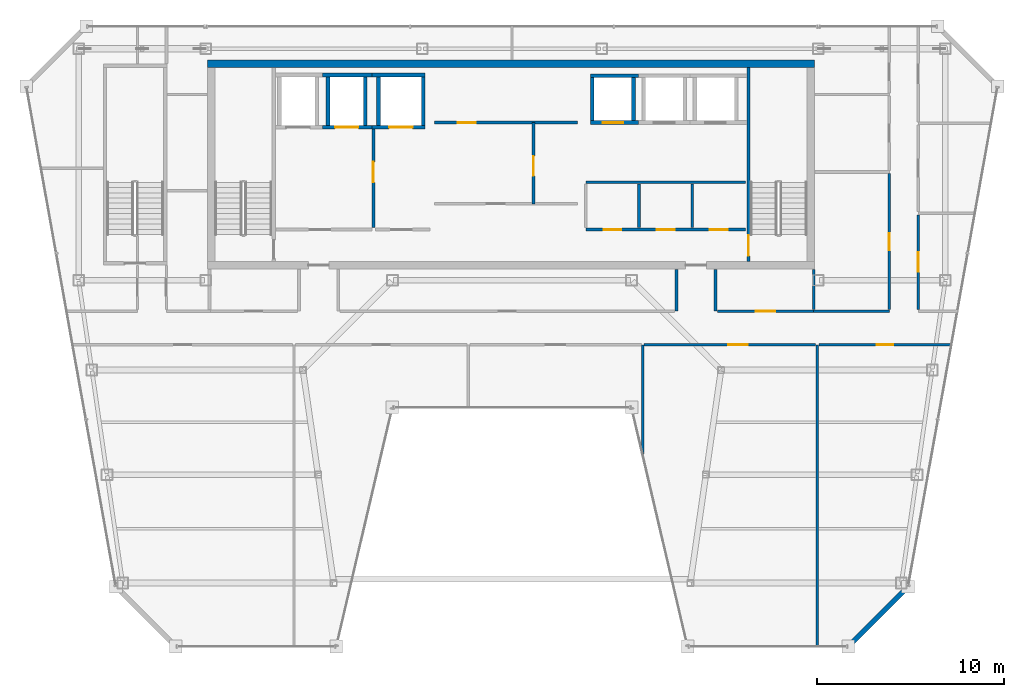
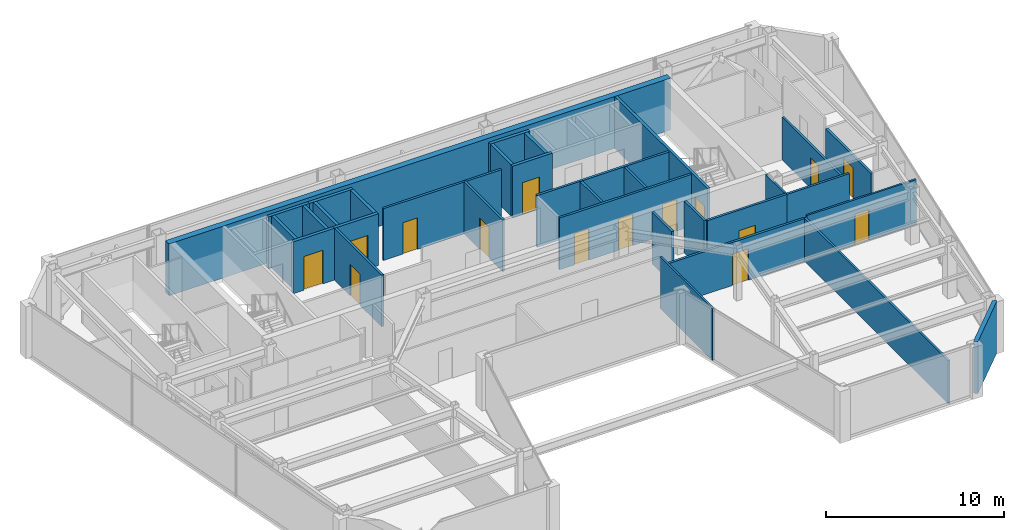
# One storey, part 28 of 32: 33 walls, 15 doors, 15 openings.
"""IFC4 building model written with IfcOpenShell, lengths in metres."""

from ifc_helpers import new_model, si_unit, direction, frame, frame_2d, origin, place, context, subcontext, project, spatial, rectangle, extrude, material, layer, layer_set, type_object, element, fill, save


model = new_model("IFC4")

# Units and contexts
model_context = context("Model", 3, precision=1e-05, world=origin(), true_north=direction((0.0, 1.0)))
body_context = subcontext(model_context, "Body", "Model", "MODEL_VIEW")
ifc_project = project(units=[si_unit("LENGTHUNIT", "METRE"), si_unit("AREAUNIT", "SQUARE_METRE"), si_unit("VOLUMEUNIT", "CUBIC_METRE"), si_unit("PLANEANGLEUNIT", "RADIAN"), si_unit("MASSUNIT", "GRAM", prefix="KILO")], contexts=[model_context])

# Site, building, storey
site_placement = place(None, origin())
site = spatial("IfcSite", under=ifc_project, at=site_placement, CompositionType="ELEMENT")
building_placement = place(site_placement, origin())
building = spatial("IfcBuilding", under=site, at=building_placement, Name="Saevonmaru Cultural Tower", CompositionType="ELEMENT")
storey_placement = place(building_placement, frame((0.0, 0.0, 268.60009765625)))
storey = spatial("IfcBuildingStorey", under=building, at=storey_placement, Name="L63", CompositionType="ELEMENT", Elevation=268.60009765625)

# Wall
ifc_material_1 = material(Name="Concrete C50/60", Category="concrete")
ifc_layer_1 = layer(ifc_material_1, 0.39990234375, Name="Concrete C50/60")
ifc_layer_set_1 = layer_set([ifc_layer_1], Name="Concrete C50/60")
wall_type_1 = type_object("IfcWallType", Name="WL-CORE-400", PredefinedType="SHEAR", material=ifc_layer_set_1)
wall_1_placement = place(storey_placement, frame((13.699951171875, 54.0, 0.0), z_axis=(0.0, 0.0, 1.0), x_axis=(1.0, 0.0, 0.0)))
element("IfcWall", 1, at=wall_1_placement, inside=storey, type_object=wall_type_1, Name="L63 Tower RC core shear wall N", PredefinedType="SHEAR", context=body_context, shape_type="SweptSolid", body=[
    extrude(rectangle(XDim=32.5, YDim=0.39990234375, at=frame_2d((16.25, 0.0))), origin(), (0.0, 0.0, 1.0), 3.5498046875),
])

# Wall, opening, door
ifc_material_2 = material(Name="Gypsum Fireboard Partition", Category="gypsum")
ifc_layer_2 = layer(ifc_material_2, 0.14990234375, Name="Gypsum Fireboard Partition")
ifc_layer_set_2 = layer_set([ifc_layer_2], Name="Gypsum Fireboard Partition")
wall_type_2 = type_object("IfcWallType", Name="WL-CORE-PART-150", PredefinedType="PARTITIONING", material=ifc_layer_set_2)
wall_2_placement = place(storey_placement, frame((22.580078125, 50.550048828125, 0.0), z_axis=(0.0, 0.0, 1.0), x_axis=(0.0, -1.0, 0.0)))
wall_2 = element("IfcWall", 2, at=wall_2_placement, inside=storey, type_object=wall_type_2, Name="L63 Firefighting Lift Lobby East Wall", PredefinedType="PARTITIONING", context=body_context, shape_type="SweptSolid", body=[
    extrude(rectangle(XDim=5.330078125, YDim=0.14990234375, at=frame_2d((2.6650390625, 0.0))), origin(), (0.0, 0.0, 1.0), 3.5498046875),
])
opening_1_placement = place(wall_2_placement, frame((1.800048828125, 0.0, 0.0)))
opening_1 = element("IfcOpeningElement", 3, at=opening_1_placement, cuts=wall_2, Name="Opening FD-2", PredefinedType="OPENING", context=body_context, shape_type="SweptSolid", body=[
    extrude(rectangle(XDim=1.10009765625, YDim=2.14990234375, at=frame_2d((0.550048828125, 1.074951171875))), frame((0.0, 0.0849609375, 0.0), z_axis=(0.0, -1.0, 0.0), x_axis=(1.0, 0.0, 0.0)), (0.0, 0.0, 1.0), 0.169921875),
])
ifc_material_3 = material(Name="Satin Bronze Anodised Aluminium", Category="aluminium")
door_type_1 = type_object("IfcDoorType", Name="DR-FD60-1100", OperationType="SINGLE_SWING_LEFT", PredefinedType="DOOR", material=ifc_material_3)
door_1_placement = place(opening_1_placement, origin())
door_1 = element("IfcDoor", 4, at=door_1_placement, inside=storey, type_object=door_type_1, Name="L63 Firefighting Lift Lobby East Door", OperationType="SINGLE_SWING_LEFT", OverallHeight=2.14990234375, OverallWidth=1.10009765625, PredefinedType="DOOR", context=body_context, shape_type="SweptSolid", body=[
    extrude(rectangle(XDim=1.10009765625, YDim=2.14990234375, at=frame_2d((0.550048828125, 1.074951171875))), frame((0.0, 0.02490234375, 0.0), z_axis=(0.0, -1.0, 0.0), x_axis=(1.0, 0.0, 0.0)), (0.0, 0.0, 1.0), 0.050048828125),
])
fill(opening_1, door_1)

wall_3_placement = place(storey_placement, frame((31.14990234375, 46.5, 0.0), z_axis=(0.0, 0.0, 1.0), x_axis=(0.0, 1.0, 0.0)))
wall_3 = element("IfcWall", 5, at=wall_3_placement, inside=storey, type_object=wall_type_2, Name="L63 Lift Zone Baffle 1", PredefinedType="PARTITIONING", context=body_context, shape_type="SweptSolid", body=[
    extrude(rectangle(XDim=4.35009765625, YDim=0.14990234375, at=frame_2d((2.175048828125, 0.0))), origin(), (0.0, 0.0, 1.0), 3.5498046875),
])
opening_2_placement = place(wall_3_placement, frame((1.5, 0.0, 0.0)))
opening_2 = element("IfcOpeningElement", 6, at=opening_2_placement, cuts=wall_3, Name="Opening ID-1", PredefinedType="OPENING", context=body_context, shape_type="SweptSolid", body=[
    extrude(rectangle(XDim=1.050048828125, YDim=2.14990234375, at=frame_2d((0.52490234375, 1.074951171875))), frame((0.0, 0.0849609375, 0.0), z_axis=(0.0, -1.0, 0.0), x_axis=(1.0, 0.0, 0.0)), (0.0, 0.0, 1.0), 0.169921875),
])
door_type_2 = type_object("IfcDoorType", Name="DR-INT-1050", OperationType="SINGLE_SWING_LEFT", PredefinedType="DOOR", material=ifc_material_3)
door_2_placement = place(opening_2_placement, origin())
door_2 = element("IfcDoor", 7, at=door_2_placement, inside=storey, type_object=door_type_2, Name="L63 West-Mid Lobby Portal", OperationType="SINGLE_SWING_LEFT", OverallHeight=2.14990234375, OverallWidth=1.050048828125, PredefinedType="DOOR", context=body_context, shape_type="SweptSolid", body=[
    extrude(rectangle(XDim=1.050048828125, YDim=2.14990234375, at=frame_2d((0.52490234375, 1.074951171875))), frame((0.0, 0.02490234375, 0.0), z_axis=(0.0, -1.0, 0.0), x_axis=(1.0, 0.0, 0.0)), (0.0, 0.0, 1.0), 0.050048828125),
])
fill(opening_2, door_2)

# Wall, openings, doors
wall_4_placement = place(storey_placement, frame((33.949951171875, 45.1201171875, 0.0), z_axis=(0.0, 0.0, 1.0), x_axis=(1.0, 0.0, 0.0)))
wall_4 = element("IfcWall", 8, at=wall_4_placement, inside=storey, type_object=wall_type_2, Name="L63 Core Utility South Wall", PredefinedType="PARTITIONING", context=body_context, shape_type="SweptSolid", body=[
    extrude(rectangle(XDim=8.550048828125, YDim=0.14990234375, at=frame_2d((4.27490234375, 0.0))), origin(), (0.0, 0.0, 1.0), 3.5498046875),
])
opening_3_placement = place(wall_4_placement, frame((0.949951171875, 0.0, 0.0)))
opening_3 = element("IfcOpeningElement", 9, at=opening_3_placement, cuts=wall_4, Name="Opening FD-4", PredefinedType="OPENING", context=body_context, shape_type="SweptSolid", body=[
    extrude(rectangle(XDim=0.949951171875, YDim=2.14990234375, at=frame_2d((0.47509765625, 1.074951171875))), frame((0.0, 0.0849609375, 0.0), z_axis=(0.0, -1.0, 0.0), x_axis=(1.0, 0.0, 0.0)), (0.0, 0.0, 1.0), 0.169921875),
])
opening_4_placement = place(wall_4_placement, frame((3.800048828125, 0.0, 0.0)))
opening_4 = element("IfcOpeningElement", 10, at=opening_4_placement, cuts=wall_4, Name="Opening FD-4", PredefinedType="OPENING", context=body_context, shape_type="SweptSolid", body=[
    extrude(rectangle(XDim=0.949951171875, YDim=2.14990234375, at=frame_2d((0.47509765625, 1.074951171875))), frame((0.0, 0.0849609375, 0.0), z_axis=(0.0, -1.0, 0.0), x_axis=(1.0, 0.0, 0.0)), (0.0, 0.0, 1.0), 0.169921875),
])
opening_5_placement = place(wall_4_placement, frame((6.64990234375, 0.0, 0.0)))
opening_5 = element("IfcOpeningElement", 11, at=opening_5_placement, cuts=wall_4, Name="Opening FD-4", PredefinedType="OPENING", context=body_context, shape_type="SweptSolid", body=[
    extrude(rectangle(XDim=0.949951171875, YDim=2.14990234375, at=frame_2d((0.47509765625, 1.074951171875))), frame((0.0, 0.0849609375, 0.0), z_axis=(0.0, -1.0, 0.0), x_axis=(1.0, 0.0, 0.0)), (0.0, 0.0, 1.0), 0.169921875),
])
door_type_3 = type_object("IfcDoorType", Name="DR-FD60-950", OperationType="SINGLE_SWING_LEFT", PredefinedType="DOOR", material=ifc_material_3)
door_3_placement = place(opening_3_placement, origin())
door_3 = element("IfcDoor", 12, at=door_3_placement, inside=storey, type_object=door_type_3, Name="L63 Meter Plant Door", OperationType="SINGLE_SWING_LEFT", OverallHeight=2.14990234375, OverallWidth=0.949951171875, PredefinedType="DOOR", context=body_context, shape_type="SweptSolid", body=[
    extrude(rectangle(XDim=0.949951171875, YDim=2.14990234375, at=frame_2d((0.47509765625, 1.074951171875))), frame((0.0, 0.02490234375, 0.0), z_axis=(0.0, -1.0, 0.0), x_axis=(1.0, 0.0, 0.0)), (0.0, 0.0, 1.0), 0.050048828125),
])
fill(opening_3, door_3)
door_4_placement = place(opening_4_placement, origin())
door_4 = element("IfcDoor", 13, at=door_4_placement, inside=storey, type_object=door_type_3, Name="L63 AV Rack Plant Door", OperationType="SINGLE_SWING_LEFT", OverallHeight=2.14990234375, OverallWidth=0.949951171875, PredefinedType="DOOR", context=body_context, shape_type="SweptSolid", body=[
    extrude(rectangle(XDim=0.949951171875, YDim=2.14990234375, at=frame_2d((0.47509765625, 1.074951171875))), frame((0.0, 0.02490234375, 0.0), z_axis=(0.0, -1.0, 0.0), x_axis=(1.0, 0.0, 0.0)), (0.0, 0.0, 1.0), 0.050048828125),
])
fill(opening_4, door_4)
door_5_placement = place(opening_5_placement, origin())
door_5 = element("IfcDoor", 14, at=door_5_placement, inside=storey, type_object=door_type_3, Name="L63 Archive Supply Storage Door", OperationType="SINGLE_SWING_LEFT", OverallHeight=2.14990234375, OverallWidth=0.949951171875, PredefinedType="DOOR", context=body_context, shape_type="SweptSolid", body=[
    extrude(rectangle(XDim=0.949951171875, YDim=2.14990234375, at=frame_2d((0.47509765625, 1.074951171875))), frame((0.0, 0.02490234375, 0.0), z_axis=(0.0, -1.0, 0.0), x_axis=(1.0, 0.0, 0.0)), (0.0, 0.0, 1.0), 0.050048828125),
])
fill(opening_5, door_5)

# Walls
wall_5_placement = place(storey_placement, frame((33.949951171875, 47.64990234375, 0.0), z_axis=(0.0, 0.0, 1.0), x_axis=(1.0, 0.0, 0.0)))
element("IfcWall", 15, at=wall_5_placement, inside=storey, type_object=wall_type_2, Name="L63 Core Utility North Wall", PredefinedType="PARTITIONING", context=body_context, shape_type="SweptSolid", body=[
    extrude(rectangle(XDim=8.550048828125, YDim=0.14990234375, at=frame_2d((4.27490234375, 0.0))), origin(), (0.0, 0.0, 1.0), 3.5498046875),
])
for number, where, z_axis, x_axis, name in (
    (16, (36.800048828125, 45.219970703125, 0.0), (0.0, 0.0, 1.0), (0.0, 1.0, 0.0), "L63 Utility Divider 1"),
    (17, (39.64990234375, 45.219970703125, 0.0), (0.0, 0.0, 1.0), (0.0, 1.0, 0.0), "L63 Utility Divider 2"),
):
    element("IfcWall", number, at=place(storey_placement, frame(where, z_axis=z_axis, x_axis=x_axis)), inside=storey, type_object=wall_type_2, Name=name, PredefinedType="PARTITIONING", context=body_context, shape_type="SweptSolid", body=[
        extrude(rectangle(XDim=2.330078125, YDim=0.14990234375, at=frame_2d((1.1650390625, 0.0))), origin(), (0.0, 0.0, 1.0), 3.5498046875),
    ])

# Wall, opening, door
wall_6_placement = place(storey_placement, frame((25.85009765625, 50.85009765625, 0.0), z_axis=(0.0, 0.0, 1.0), x_axis=(1.0, 0.0, 0.0)))
wall_6 = element("IfcWall", 18, at=wall_6_placement, inside=storey, type_object=wall_type_2, Name="L63 Reclaimed Core Room South Wall", PredefinedType="PARTITIONING", context=body_context, shape_type="SweptSolid", body=[
    extrude(rectangle(XDim=7.64990234375, YDim=0.14990234375, at=frame_2d((3.824951171875, 0.0))), origin(), (0.0, 0.0, 1.0), 3.5498046875),
])
opening_6_placement = place(wall_6_placement, frame((1.25, 0.0, 0.0)))
opening_6 = element("IfcOpeningElement", 19, at=opening_6_placement, cuts=wall_6, Name="Opening FD-4", PredefinedType="OPENING", context=body_context, shape_type="SweptSolid", body=[
    extrude(rectangle(XDim=0.949951171875, YDim=2.14990234375, at=frame_2d((0.47509765625, 1.074951171875))), frame((0.0, 0.0849609375, 0.0), z_axis=(0.0, -1.0, 0.0), x_axis=(1.0, 0.0, 0.0)), (0.0, 0.0, 1.0), 0.169921875),
])
door_6_placement = place(opening_6_placement, origin())
door_6 = element("IfcDoor", 20, at=door_6_placement, inside=storey, type_object=door_type_3, Name="L63 Reclaimed Archive Vault Door", OperationType="SINGLE_SWING_LEFT", OverallHeight=2.14990234375, OverallWidth=0.949951171875, PredefinedType="DOOR", context=body_context, shape_type="SweptSolid", body=[
    extrude(rectangle(XDim=0.949951171875, YDim=2.14990234375, at=frame_2d((0.47509765625, 1.074951171875))), frame((0.0, 0.02490234375, 0.0), z_axis=(0.0, -1.0, 0.0), x_axis=(1.0, 0.0, 0.0)), (0.0, 0.0, 1.0), 0.050048828125),
])
fill(opening_6, door_6)

# Wall
ifc_material_4 = material(Name="Granite-Clad Precast Concrete C40/50", Category="masonry")
ifc_layer_3 = layer(ifc_material_4, 0.260009765625, Name="Granite-Clad Precast Concrete C40/50")
ifc_layer_set_3 = layer_set([ifc_layer_3], Name="Granite-Clad Precast Concrete C40/50")
wall_type_3 = type_object("IfcWallType", Name="WL-EXT-SPANDREL-260", PredefinedType="STANDARD", material=ifc_layer_set_3)
wall_7_placement = place(storey_placement, frame((48.117431640625, 22.9130859375, 0.0), z_axis=(0.0, 0.0, 1.0), x_axis=(0.707106781187, 0.707106781187, 0.0)))
element("IfcWall", 21, at=wall_7_placement, inside=storey, type_object=wall_type_3, Name="L63 Chamfer Corner Spandrel Wall E7", PredefinedType="STANDARD", context=body_context, shape_type="SweptSolid", body=[
    extrude(rectangle(XDim=4.205810546875, YDim=0.260009765625, at=frame_2d((2.10302734375, 0.0))), origin(), (0.0, 0.0, 1.0), 3.5498046875),
])

# Wall, opening, door
ifc_layer_4 = layer(ifc_material_2, 0.14990234375, Name="Gypsum Fireboard Partition")
ifc_layer_set_4 = layer_set([ifc_layer_4], Name="Gypsum Fireboard Partition")
wall_type_4 = type_object("IfcWallType", Name="WL-PART-FIRE-150", PredefinedType="PARTITIONING", material=ifc_layer_set_4)
wall_8_placement = place(storey_placement, frame((51.75, 40.83740234375, 0.0), z_axis=(0.0, 0.0, 1.0), x_axis=(0.0, 1.0, 0.0)))
wall_8 = element("IfcWall", 22, at=wall_8_placement, inside=storey, type_object=wall_type_4, Name="L63 Contemporary Photography Gallery Corridor Wall", PredefinedType="PARTITIONING", context=body_context, shape_type="SweptSolid", body=[
    extrude(rectangle(XDim=5.0751953125, YDim=0.14990234375, at=frame_2d((2.53759765625, 0.0))), origin(), (0.0, 0.0, 1.0), 2.947021484375),
])
opening_7_placement = place(wall_8_placement, frame((2.012939453125, 0.0, 0.0)))
opening_7 = element("IfcOpeningElement", 23, at=opening_7_placement, cuts=wall_8, Name="Opening ID-1", PredefinedType="OPENING", context=body_context, shape_type="SweptSolid", body=[
    extrude(rectangle(XDim=1.050048828125, YDim=2.14990234375, at=frame_2d((0.52490234375, 1.074951171875))), frame((0.0, 0.0849609375, 0.0), z_axis=(0.0, -1.0, 0.0), x_axis=(1.0, 0.0, 0.0)), (0.0, 0.0, 1.0), 0.169921875),
])
door_7_placement = place(opening_7_placement, origin())
door_7 = element("IfcDoor", 24, at=door_7_placement, inside=storey, type_object=door_type_2, Name="L63 Contemporary Photography Gallery Door", OperationType="SINGLE_SWING_LEFT", OverallHeight=2.14990234375, OverallWidth=1.050048828125, PredefinedType="DOOR", context=body_context, shape_type="SweptSolid", body=[
    extrude(rectangle(XDim=1.050048828125, YDim=2.14990234375, at=frame_2d((0.52490234375, 1.074951171875))), frame((0.0, 0.02490234375, 0.0), z_axis=(0.0, -1.0, 0.0), x_axis=(1.0, 0.0, 0.0)), (0.0, 0.0, 1.0), 0.050048828125),
])
fill(opening_7, door_7)

# Walls
for number, where, z_axis, x_axis, name in (
    (25, (38.800048828125, 40.75, 0.0), (0.0, 0.0, 1.0), (0.0, 1.0, 0.0), "L63 Core Portal Side Wall E1"),
    (26, (40.89990234375, 40.75, 0.0), (0.0, 0.0, 1.0), (0.0, 1.0, 0.0), "L63 Core Portal Side Wall E2"),
):
    element("IfcWall", number, at=place(storey_placement, frame(where, z_axis=z_axis, x_axis=x_axis)), inside=storey, type_object=wall_type_4, Name=name, PredefinedType="PARTITIONING", context=body_context, shape_type="SweptSolid", body=[
        extrude(rectangle(XDim=2.22998046875, YDim=0.14990234375, at=frame_2d((1.114990234375, 0.0))), origin(), (0.0, 0.0, 1.0), 3.5498046875),
    ])

# Wall, opening, door
wall_9_placement = place(storey_placement, frame((40.9951171875, 40.75, 0.0), z_axis=(0.0, 0.0, 1.0), x_axis=(1.0, 0.0, 0.0)))
wall_9 = element("IfcWall", 27, at=wall_9_placement, inside=storey, type_object=wall_type_4, Name="L63 Sculpture Study Gallery Corridor Wall", PredefinedType="PARTITIONING", context=body_context, shape_type="SweptSolid", body=[
    extrude(rectangle(XDim=5.15478515625, YDim=0.14990234375, at=frame_2d((2.577392578125, 0.0))), origin(), (0.0, 0.0, 1.0), 3.5498046875),
])
opening_8_placement = place(wall_9_placement, frame((2.052978515625, 0.0, 0.0)))
opening_8 = element("IfcOpeningElement", 28, at=opening_8_placement, cuts=wall_9, Name="Opening ID-1", PredefinedType="OPENING", context=body_context, shape_type="SweptSolid", body=[
    extrude(rectangle(XDim=1.050048828125, YDim=2.14990234375, at=frame_2d((0.52490234375, 1.074951171875))), frame((0.0, 0.0849609375, 0.0), z_axis=(0.0, -1.0, 0.0), x_axis=(1.0, 0.0, 0.0)), (0.0, 0.0, 1.0), 0.169921875),
])
door_8_placement = place(opening_8_placement, origin())
door_8 = element("IfcDoor", 29, at=door_8_placement, inside=storey, type_object=door_type_2, Name="L63 Sculpture Study Gallery Door", OperationType="SINGLE_SWING_RIGHT", OverallHeight=2.14990234375, OverallWidth=1.050048828125, PredefinedType="DOOR", context=body_context, shape_type="SweptSolid", body=[
    extrude(rectangle(XDim=1.050048828125, YDim=2.14990234375, at=frame_2d((0.52490234375, 1.074951171875))), frame((0.0, 0.02490234375, 0.0), z_axis=(0.0, -1.0, 0.0), x_axis=(1.0, 0.0, 0.0)), (0.0, 0.0, 1.0), 0.050048828125),
])
fill(opening_8, door_8)

wall_10_placement = place(storey_placement, frame((37.080078125, 38.949951171875, 0.0), z_axis=(0.0, 0.0, 1.0), x_axis=(1.0, 0.0, 0.0)))
wall_10 = element("IfcWall", 30, at=wall_10_placement, inside=storey, type_object=wall_type_4, Name="L63 Contemporary Photography Gallery Corridor Wall", PredefinedType="PARTITIONING", context=body_context, shape_type="SweptSolid", body=[
    extrude(rectangle(XDim=9.17236328125, YDim=0.14990234375, at=frame_2d((4.586181640625, 0.0))), origin(), (0.0, 0.0, 1.0), 2.947021484375),
])
opening_9_placement = place(wall_10_placement, frame((4.5009765625, 0.0, 0.0)))
opening_9 = element("IfcOpeningElement", 31, at=opening_9_placement, cuts=wall_10, Name="Opening ID-1", PredefinedType="OPENING", context=body_context, shape_type="SweptSolid", body=[
    extrude(rectangle(XDim=1.050048828125, YDim=2.14990234375, at=frame_2d((0.52490234375, 1.074951171875))), frame((0.0, 0.0849609375, 0.0), z_axis=(0.0, -1.0, 0.0), x_axis=(1.0, 0.0, 0.0)), (0.0, 0.0, 1.0), 0.169921875),
])
door_9_placement = place(opening_9_placement, origin())
door_9 = element("IfcDoor", 32, at=door_9_placement, inside=storey, type_object=door_type_2, Name="L63 Contemporary Photography Gallery Door", OperationType="SINGLE_SWING_RIGHT", OverallHeight=2.14990234375, OverallWidth=1.050048828125, PredefinedType="DOOR", context=body_context, shape_type="SweptSolid", body=[
    extrude(rectangle(XDim=1.050048828125, YDim=2.14990234375, at=frame_2d((0.52490234375, 1.074951171875))), frame((0.0, 0.02490234375, 0.0), z_axis=(0.0, -1.0, 0.0), x_axis=(1.0, 0.0, 0.0)), (0.0, 0.0, 1.0), 0.050048828125),
])
fill(opening_9, door_9)

# Wall
ifc_layer_5 = layer(ifc_material_2, 0.1201171875, Name="Gypsum Fireboard Partition")
ifc_layer_set_5 = layer_set([ifc_layer_5], Name="Gypsum Fireboard Partition")
wall_type_5 = type_object("IfcWallType", Name="WL-PART-GYP-120", PredefinedType="PARTITIONING", material=ifc_layer_set_5)
wall_11_placement = place(storey_placement, frame((37.0, 33.080810546875, 0.0), z_axis=(0.0, 0.0, 1.0), x_axis=(0.0, 1.0, 0.0)))
element("IfcWall", 33, at=wall_11_placement, inside=storey, type_object=wall_type_5, Name="L63 Observatory Bay Divider 3", PredefinedType="PARTITIONING", context=body_context, shape_type="SweptSolid", body=[
    extrude(rectangle(XDim=5.869140625, YDim=0.1201171875, at=frame_2d((2.9345703125, 0.0))), origin(), (0.0, 0.0, 1.0), 3.5498046875),
])

# Wall, opening, door
wall_12_placement = place(storey_placement, frame((46.427490234375, 38.949951171875, 0.0), z_axis=(0.0, 0.0, 1.0), x_axis=(1.0, 0.0, 0.0)))
wall_12 = element("IfcWall", 34, at=wall_12_placement, inside=storey, type_object=wall_type_5, Name="L63 Digital Media Classroom Corridor Wall", PredefinedType="PARTITIONING", context=body_context, shape_type="SweptSolid", body=[
    extrude(rectangle(XDim=7.089111328125, YDim=0.1201171875, at=frame_2d((3.54443359375, 0.0))), origin(), (0.0, 0.0, 1.0), 3.0849609375),
])
opening_10_placement = place(wall_12_placement, frame((3.094970703125, 0.0, 0.0)))
opening_10 = element("IfcOpeningElement", 35, at=opening_10_placement, cuts=wall_12, Name="Opening ID-2", PredefinedType="OPENING", context=body_context, shape_type="SweptSolid", body=[
    extrude(rectangle(XDim=0.89990234375, YDim=2.10009765625, at=frame_2d((0.449951171875, 1.050048828125))), frame((0.0, 0.070068359375, 0.0), z_axis=(0.0, -1.0, 0.0), x_axis=(1.0, 0.0, 0.0)), (0.0, 0.0, 1.0), 0.14013671875),
])
ifc_material_5 = material(Name="Acoustic Stained Oak Timber", Category="wood")
door_type_4 = type_object("IfcDoorType", Name="DR-INT-900", OperationType="SINGLE_SWING_RIGHT", PredefinedType="DOOR", material=ifc_material_5)
door_10_placement = place(opening_10_placement, origin())
door_10 = element("IfcDoor", 36, at=door_10_placement, inside=storey, type_object=door_type_4, Name="L63 Digital Media Classroom Door", OperationType="SINGLE_SWING_LEFT", OverallHeight=2.10009765625, OverallWidth=0.89990234375, PredefinedType="DOOR", context=body_context, shape_type="SweptSolid", body=[
    extrude(rectangle(XDim=0.89990234375, YDim=2.10009765625, at=frame_2d((0.449951171875, 1.050048828125))), frame((0.0, 0.02490234375, 0.0), z_axis=(0.0, -1.0, 0.0), x_axis=(1.0, 0.0, 0.0)), (0.0, 0.0, 1.0), 0.050048828125),
])
fill(opening_10, door_10)

# Walls
ifc_layer_6 = layer(ifc_material_2, 0.135009765625, Name="Gypsum Fireboard Partition")
ifc_layer_set_6 = layer_set([ifc_layer_6], Name="Gypsum Fireboard Partition")
wall_type_6 = type_object("IfcWallType", Name="WL-PART-GYP-135", PredefinedType="PARTITIONING", material=ifc_layer_set_6)
wall_13_placement = place(storey_placement, frame((46.340087890625, 22.804931640625, 0.0), z_axis=(0.0, 0.0, 1.0), x_axis=(0.0, 1.0, 0.0)))
element("IfcWall", 37, at=wall_13_placement, inside=storey, type_object=wall_type_6, Name="L63 Observatory Bay Divider 4", PredefinedType="PARTITIONING", context=body_context, shape_type="SweptSolid", body=[
    extrude(rectangle(XDim=16.14501953125, YDim=0.135009765625, at=frame_2d((8.072509765625, 0.0))), origin(), (0.0, 0.0, 1.0), 2.947021484375),
])
ifc_layer_7 = layer(ifc_material_2, 0.139892578125, Name="Gypsum Fireboard Partition")
ifc_layer_set_7 = layer_set([ifc_layer_7], Name="Gypsum Fireboard Partition")
wall_type_7 = type_object("IfcWallType", Name="WL-PART-WET-140", PredefinedType="PARTITIONING", material=ifc_layer_set_7)
wall_14_placement = place(storey_placement, frame((46.14990234375, 40.75, 0.0), z_axis=(0.0, 0.0, 1.0), x_axis=(1.0, 0.0, 0.0)))
element("IfcWall", 38, at=wall_14_placement, inside=storey, type_object=wall_type_7, Name="L63 Washroom South Wall", PredefinedType="PARTITIONING", context=body_context, shape_type="SweptSolid", body=[
    extrude(rectangle(XDim=4.050048828125, YDim=0.139892578125, at=frame_2d((2.02490234375, 0.0))), origin(), (0.0, 0.0, 1.0), 3.5498046875),
])
wall_15_placement = place(storey_placement, frame((46.14990234375, 40.840087890625, 0.0), z_axis=(0.0, 0.0, 1.0), x_axis=(0.0, 1.0, 0.0)))
element("IfcWall", 39, at=wall_15_placement, inside=storey, type_object=wall_type_7, Name="L63 Washroom South-West Return", PredefinedType="PARTITIONING", context=body_context, shape_type="SweptSolid", body=[
    extrude(rectangle(XDim=2.139892578125, YDim=0.139892578125, at=frame_2d((1.06982421875, 0.0))), origin(), (0.0, 0.0, 1.0), 3.5498046875),
])

# Wall, opening, door
wall_16_placement = place(storey_placement, frame((50.199951171875, 40.840087890625, 0.0), z_axis=(0.0, 0.0, 1.0), x_axis=(0.0, 1.0, 0.0)))
wall_16 = element("IfcWall", 40, at=wall_16_placement, inside=storey, type_object=wall_type_7, Name="L63 Washroom Corridor Wall", PredefinedType="PARTITIONING", context=body_context, shape_type="SweptSolid", body=[
    extrude(rectangle(XDim=7.27001953125, YDim=0.139892578125, at=frame_2d((3.635009765625, 0.0))), origin(), (0.0, 0.0, 1.0), 2.947021484375),
])
opening_11_placement = place(wall_16_placement, frame((3.18505859375, 0.0, 0.0)))
opening_11 = element("IfcOpeningElement", 41, at=opening_11_placement, cuts=wall_16, Name="Opening ID-2", PredefinedType="OPENING", context=body_context, shape_type="SweptSolid", body=[
    extrude(rectangle(XDim=0.89990234375, YDim=2.10009765625, at=frame_2d((0.449951171875, 1.050048828125))), frame((0.0, 0.080078125, 0.0), z_axis=(0.0, -1.0, 0.0), x_axis=(1.0, 0.0, 0.0)), (0.0, 0.0, 1.0), 0.159912109375),
])
door_11_placement = place(opening_11_placement, origin())
door_11 = element("IfcDoor", 42, at=door_11_placement, inside=storey, type_object=door_type_4, Name="L63 Public Accessible Washrooms Door", OperationType="SINGLE_SWING_RIGHT", OverallHeight=2.10009765625, OverallWidth=0.89990234375, PredefinedType="DOOR", context=body_context, shape_type="SweptSolid", body=[
    extrude(rectangle(XDim=0.89990234375, YDim=2.10009765625, at=frame_2d((0.449951171875, 1.050048828125))), frame((0.0, 0.02490234375, 0.0), z_axis=(0.0, -1.0, 0.0), x_axis=(1.0, 0.0, 0.0)), (0.0, 0.0, 1.0), 0.050048828125),
])
fill(opening_11, door_11)

ifc_material_6 = material(Name="Concrete C40/50", Category="concrete")
ifc_layer_8 = layer(ifc_material_6, 0.199951171875, Name="Concrete C40/50")
ifc_layer_set_8 = layer_set([ifc_layer_8], Name="Concrete C40/50")
wall_type_8 = type_object("IfcWallType", Name="WL-SHAFT-200", PredefinedType="SHEAR", material=ifc_layer_set_8)
wall_17_placement = place(storey_placement, frame((19.85009765625, 50.60009765625, 0.0), z_axis=(0.0, 0.0, 1.0), x_axis=(1.0, 0.0, 0.0)))
wall_17 = element("IfcWall", 43, at=wall_17_placement, inside=storey, type_object=wall_type_8, Name="L63 Lift FFL-2 Hoistway Wall S", PredefinedType="SHEAR", context=body_context, shape_type="SweptSolid", body=[
    extrude(rectangle(XDim=2.64990234375, YDim=0.199951171875, at=frame_2d((1.324951171875, 0.0))), origin(), (0.0, 0.0, 1.0), 3.5498046875),
])
opening_12_placement = place(wall_17_placement, frame((0.675048828125, 0.0, 0.0)))
opening_12 = element("IfcOpeningElement", 44, at=opening_12_placement, cuts=wall_17, Name="Opening LD-2", PredefinedType="OPENING", context=body_context, shape_type="SweptSolid", body=[
    extrude(rectangle(XDim=1.25, YDim=2.300048828125, at=frame_2d((0.625, 1.14990234375))), frame((0.0, 0.10986328125, 0.0), z_axis=(0.0, -1.0, 0.0), x_axis=(1.0, 0.0, 0.0)), (0.0, 0.0, 1.0), 0.219970703125),
])
ifc_material_7 = material(Name="Stainless Steel 316", Category="steel")
door_type_5 = type_object("IfcDoorType", Name="DR-LIFT-1250", OperationType="SLIDING_TO_LEFT", PredefinedType="DOOR", material=ifc_material_7)
door_12_placement = place(opening_12_placement, origin())
door_12 = element("IfcDoor", 45, at=door_12_placement, inside=storey, type_object=door_type_5, Name="L63 Lift FFL-2 Sliding Landing Door", OperationType="SLIDING_TO_LEFT", OverallHeight=2.300048828125, OverallWidth=1.25, PredefinedType="DOOR", context=body_context, shape_type="SweptSolid", body=[
    extrude(rectangle(XDim=1.25, YDim=2.300048828125, at=frame_2d((0.625, 1.14990234375))), frame((0.0, 0.02490234375, 0.0), z_axis=(0.0, -1.0, 0.0), x_axis=(1.0, 0.0, 0.0)), (0.0, 0.0, 1.0), 0.050048828125),
])
fill(opening_12, door_12)

# Walls
wall_18_placement = place(storey_placement, frame((19.85009765625, 53.39990234375, 0.0), z_axis=(0.0, 0.0, 1.0), x_axis=(1.0, 0.0, 0.0)))
element("IfcWall", 46, at=wall_18_placement, inside=storey, type_object=wall_type_8, Name="L63 Lift FFL-2 Hoistway Wall N", PredefinedType="SHEAR", context=body_context, shape_type="SweptSolid", body=[
    extrude(rectangle(XDim=2.64990234375, YDim=0.199951171875, at=frame_2d((1.324951171875, 0.0))), origin(), (0.0, 0.0, 1.0), 3.5498046875),
])
for number, where, z_axis, x_axis, name in (
    (47, (20.14990234375, 50.699951171875, 0.0), (0.0, 0.0, 1.0), (0.0, 1.0, 0.0), "L63 Lift FFL-2 Hoistway Wall W"),
    (48, (22.14990234375, 50.699951171875, 0.0), (0.0, 0.0, 1.0), (0.0, 1.0, 0.0), "L63 Lift FFL-2 Hoistway Wall E"),
):
    element("IfcWall", number, at=place(storey_placement, frame(where, z_axis=z_axis, x_axis=x_axis)), inside=storey, type_object=wall_type_8, Name=name, PredefinedType="SHEAR", context=body_context, shape_type="SweptSolid", body=[
        extrude(rectangle(XDim=2.60009765625, YDim=0.199951171875, at=frame_2d((1.300048828125, 0.0))), origin(), (0.0, 0.0, 1.0), 3.5498046875),
    ])

# Wall, opening, door
wall_19_placement = place(storey_placement, frame((22.5, 50.60009765625, 0.0), z_axis=(0.0, 0.0, 1.0), x_axis=(1.0, 0.0, 0.0)))
wall_19 = element("IfcWall", 49, at=wall_19_placement, inside=storey, type_object=wall_type_8, Name="L63 Lift GL-1 Hoistway Wall S", PredefinedType="SHEAR", context=body_context, shape_type="SweptSolid", body=[
    extrude(rectangle(XDim=2.85009765625, YDim=0.199951171875, at=frame_2d((1.425048828125, 0.0))), origin(), (0.0, 0.0, 1.0), 3.5498046875),
])
opening_13_placement = place(wall_19_placement, frame((0.925048828125, 0.0, 0.0)))
opening_13 = element("IfcOpeningElement", 50, at=opening_13_placement, cuts=wall_19, Name="Opening LD-2", PredefinedType="OPENING", context=body_context, shape_type="SweptSolid", body=[
    extrude(rectangle(XDim=1.25, YDim=2.300048828125, at=frame_2d((0.625, 1.14990234375))), frame((0.0, 0.10986328125, 0.0), z_axis=(0.0, -1.0, 0.0), x_axis=(1.0, 0.0, 0.0)), (0.0, 0.0, 1.0), 0.219970703125),
])
door_13_placement = place(opening_13_placement, origin())
door_13 = element("IfcDoor", 51, at=door_13_placement, inside=storey, type_object=door_type_5, Name="L63 Lift GL-1 Sliding Landing Door", OperationType="SLIDING_TO_LEFT", OverallHeight=2.300048828125, OverallWidth=1.25, PredefinedType="DOOR", context=body_context, shape_type="SweptSolid", body=[
    extrude(rectangle(XDim=1.25, YDim=2.300048828125, at=frame_2d((0.625, 1.14990234375))), frame((0.0, 0.02490234375, 0.0), z_axis=(0.0, -1.0, 0.0), x_axis=(1.0, 0.0, 0.0)), (0.0, 0.0, 1.0), 0.050048828125),
])
fill(opening_13, door_13)

# Walls
wall_20_placement = place(storey_placement, frame((22.5, 53.39990234375, 0.0), z_axis=(0.0, 0.0, 1.0), x_axis=(1.0, 0.0, 0.0)))
element("IfcWall", 52, at=wall_20_placement, inside=storey, type_object=wall_type_8, Name="L63 Lift GL-1 Hoistway Wall N", PredefinedType="SHEAR", context=body_context, shape_type="SweptSolid", body=[
    extrude(rectangle(XDim=2.85009765625, YDim=0.199951171875, at=frame_2d((1.425048828125, 0.0))), origin(), (0.0, 0.0, 1.0), 3.5498046875),
])
for number, where, z_axis, x_axis, name in (
    (53, (22.85009765625, 50.699951171875, 0.0), (0.0, 0.0, 1.0), (0.0, 1.0, 0.0), "L63 Lift GL-1 Hoistway Wall W"),
    (54, (25.25, 50.699951171875, 0.0), (0.0, 0.0, 1.0), (0.0, 1.0, 0.0), "L63 Lift GL-1 Hoistway Wall E"),
):
    element("IfcWall", number, at=place(storey_placement, frame(where, z_axis=z_axis, x_axis=x_axis)), inside=storey, type_object=wall_type_8, Name=name, PredefinedType="SHEAR", context=body_context, shape_type="SweptSolid", body=[
        extrude(rectangle(XDim=2.60009765625, YDim=0.199951171875, at=frame_2d((1.300048828125, 0.0))), origin(), (0.0, 0.0, 1.0), 3.5498046875),
    ])

# Wall, opening, door
wall_21_placement = place(storey_placement, frame((34.199951171875, 50.85009765625, 0.0), z_axis=(0.0, 0.0, 1.0), x_axis=(1.0, 0.0, 0.0)))
wall_21 = element("IfcWall", 55, at=wall_21_placement, inside=storey, type_object=wall_type_8, Name="L63 Lift PL-H1 Hoistway Wall S", PredefinedType="SHEAR", context=body_context, shape_type="SweptSolid", body=[
    extrude(rectangle(XDim=2.574951171875, YDim=0.199951171875, at=frame_2d((1.28759765625, 0.0))), origin(), (0.0, 0.0, 1.0), 3.5498046875),
])
opening_14_placement = place(wall_21_placement, frame((0.64990234375, 0.0, 0.0)))
opening_14 = element("IfcOpeningElement", 56, at=opening_14_placement, cuts=wall_21, Name="Opening LD-1", PredefinedType="OPENING", context=body_context, shape_type="SweptSolid", body=[
    extrude(rectangle(XDim=1.10009765625, YDim=2.199951171875, at=frame_2d((0.550048828125, 1.10009765625))), frame((0.0, 0.10986328125, 0.0), z_axis=(0.0, -1.0, 0.0), x_axis=(1.0, 0.0, 0.0)), (0.0, 0.0, 1.0), 0.219970703125),
])
ifc_material_8 = material(Name="Satin Bronze Stainless Steel", Category="steel")
door_type_6 = type_object("IfcDoorType", Name="DR-LIFT-1100", OperationType="SLIDING_TO_LEFT", PredefinedType="DOOR", material=ifc_material_8)
door_14_placement = place(opening_14_placement, origin())
door_14 = element("IfcDoor", 57, at=door_14_placement, inside=storey, type_object=door_type_6, Name="L63 Lift PL-H1 Sliding Landing Door", OperationType="SLIDING_TO_LEFT", OverallHeight=2.199951171875, OverallWidth=1.10009765625, PredefinedType="DOOR", context=body_context, shape_type="SweptSolid", body=[
    extrude(rectangle(XDim=1.10009765625, YDim=2.199951171875, at=frame_2d((0.550048828125, 1.10009765625))), frame((0.0, 0.02490234375, 0.0), z_axis=(0.0, -1.0, 0.0), x_axis=(1.0, 0.0, 0.0)), (0.0, 0.0, 1.0), 0.050048828125),
])
fill(opening_14, door_14)

# Walls
wall_22_placement = place(storey_placement, frame((34.199951171875, 53.35009765625, 0.0), z_axis=(0.0, 0.0, 1.0), x_axis=(1.0, 0.0, 0.0)))
element("IfcWall", 58, at=wall_22_placement, inside=storey, type_object=wall_type_8, Name="L63 Lift PL-H1 Hoistway Wall N", PredefinedType="SHEAR", context=body_context, shape_type="SweptSolid", body=[
    extrude(rectangle(XDim=2.574951171875, YDim=0.199951171875, at=frame_2d((1.28759765625, 0.0))), origin(), (0.0, 0.0, 1.0), 3.5498046875),
])
for number, where, z_axis, x_axis, name in (
    (59, (34.300048828125, 50.949951171875, 0.0), (0.0, 0.0, 1.0), (0.0, 1.0, 0.0), "L63 Lift PL-H1 Hoistway Wall W"),
    (60, (36.5, 50.949951171875, 0.0), (0.0, 0.0, 1.0), (0.0, 1.0, 0.0), "L63 Lift PL-H1 Hoistway Wall E"),
):
    element("IfcWall", number, at=place(storey_placement, frame(where, z_axis=z_axis, x_axis=x_axis)), inside=storey, type_object=wall_type_8, Name=name, PredefinedType="SHEAR", context=body_context, shape_type="SweptSolid", body=[
        extrude(rectangle(XDim=2.300048828125, YDim=0.199951171875, at=frame_2d((1.14990234375, 0.0))), origin(), (0.0, 0.0, 1.0), 3.5498046875),
    ])

# Wall, opening, door
ifc_layer_9 = layer(ifc_material_6, 0.179931640625, Name="Concrete C40/50")
ifc_layer_set_9 = layer_set([ifc_layer_9], Name="Concrete C40/50")
wall_type_9 = type_object("IfcWallType", Name="WL-STSHAFT-180", PredefinedType="SHEAR", material=ifc_layer_set_9)
wall_23_placement = place(storey_placement, frame((42.659912109375, 53.800048828125, 0.0), z_axis=(0.0, 0.0, 1.0), x_axis=(0.0, -1.0, 0.0)))
wall_23 = element("IfcWall", 61, at=wall_23_placement, inside=storey, type_object=wall_type_9, Name="L63 Stair ST-2 Structural Shaft Wall 1", PredefinedType="SHEAR", context=body_context, shape_type="SweptSolid", body=[
    extrude(rectangle(XDim=10.400146484375, YDim=0.179931640625, at=frame_2d((5.2001953125, 0.0))), origin(), (0.0, 0.0, 1.0), 3.5498046875),
])
opening_15_placement = place(wall_23_placement, frame((8.989990234375, 0.0, 0.0)))
opening_15 = element("IfcOpeningElement", 62, at=opening_15_placement, cuts=wall_23, Name="Opening FD-2", PredefinedType="OPENING", context=body_context, shape_type="SweptSolid", body=[
    extrude(rectangle(XDim=1.10009765625, YDim=2.14990234375, at=frame_2d((0.550048828125, 1.074951171875))), frame((0.0, 0.10009765625, 0.0), z_axis=(0.0, -1.0, 0.0), x_axis=(1.0, 0.0, 0.0)), (0.0, 0.0, 1.0), 0.199951171875),
])
door_15_placement = place(opening_15_placement, origin())
door_15 = element("IfcDoor", 63, at=door_15_placement, inside=storey, type_object=door_type_1, Name="L63 Protected Stair ST-2 Fire Door", OperationType="SINGLE_SWING_LEFT", OverallHeight=2.14990234375, OverallWidth=1.10009765625, PredefinedType="DOOR", context=body_context, shape_type="SweptSolid", body=[
    extrude(rectangle(XDim=1.10009765625, YDim=2.14990234375, at=frame_2d((0.550048828125, 1.074951171875))), frame((0.0, 0.02490234375, 0.0), z_axis=(0.0, -1.0, 0.0), x_axis=(1.0, 0.0, 0.0)), (0.0, 0.0, 1.0), 0.050048828125),
])
fill(opening_15, door_15)

save(model, "model.ifc")
